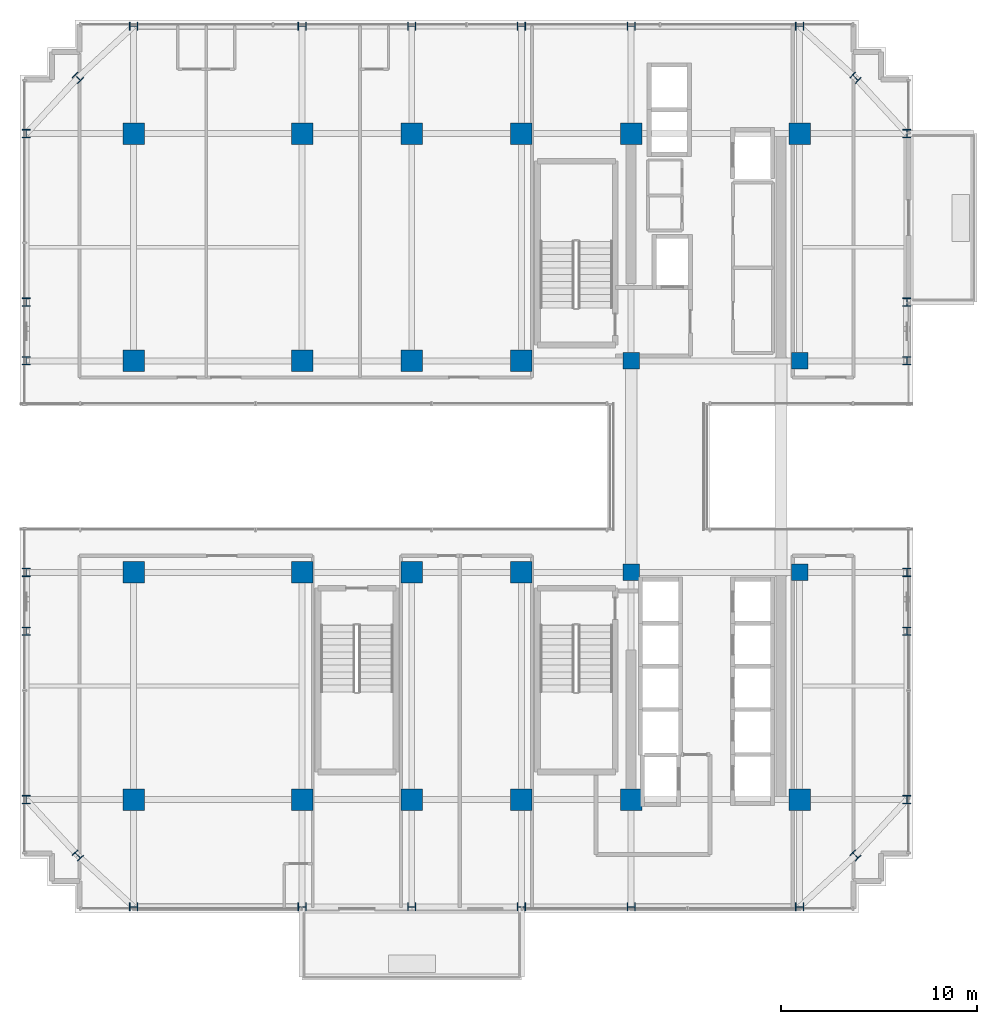
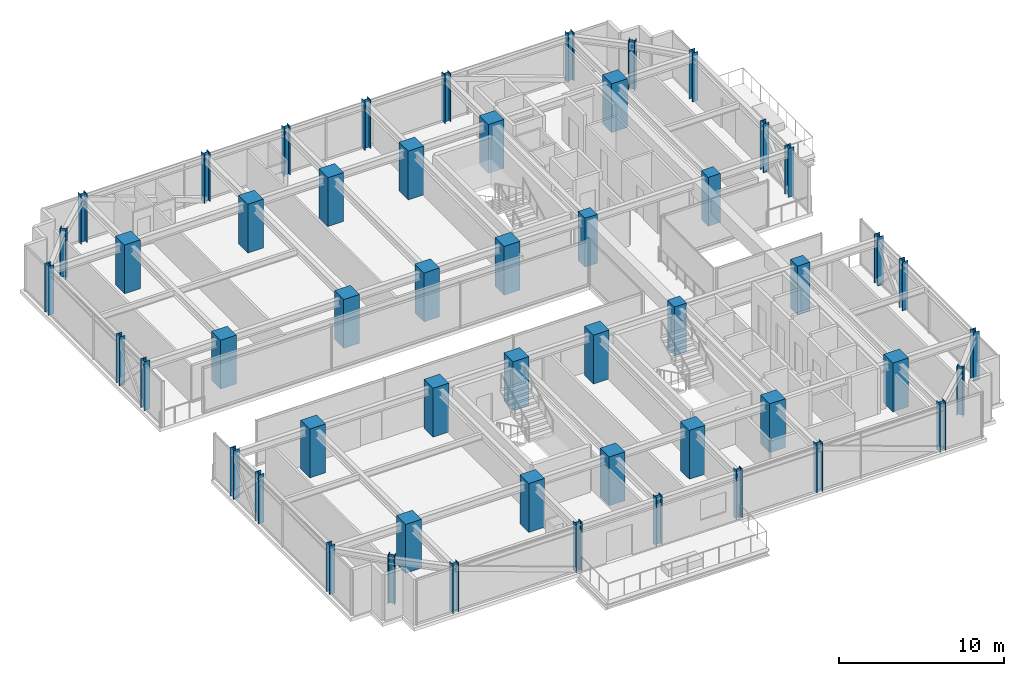
# One storey, part 1 of 38: 52 columns.
"""IFC4 building model written with IfcOpenShell, lengths in metres."""

from ifc_helpers import new_model, si_unit, direction, frame, origin, origin_2d, place, context, subcontext, project, spatial, rectangle, i_section, extrude, source, transform, mapped, material, material_profile, profile_set, type_object, element, save


model = new_model("IFC4")

# Units and contexts
model_context = context("Model", 3, precision=1e-05, world=origin(), true_north=direction((0.0, 1.0)))
body_context = subcontext(model_context, "Body", "Model", "MODEL_VIEW")
ifc_project = project(units=[si_unit("LENGTHUNIT", "METRE"), si_unit("AREAUNIT", "SQUARE_METRE"), si_unit("VOLUMEUNIT", "CUBIC_METRE"), si_unit("PLANEANGLEUNIT", "RADIAN"), si_unit("MASSUNIT", "GRAM", prefix="KILO")], contexts=[model_context])

# Site, building, storey
site_placement = place(None, origin())
site = spatial("IfcSite", under=ifc_project, at=site_placement, CompositionType="ELEMENT")
building_placement = place(site_placement, origin())
building = spatial("IfcBuilding", under=site, at=building_placement, Name="Nahalor Promenade Grand Hotel", CompositionType="ELEMENT")
storey_placement = place(building_placement, frame((0.0, 0.0, 163.60009765625)))
storey = spatial("IfcBuildingStorey", under=building, at=storey_placement, Name="L41", CompositionType="ELEMENT", Elevation=163.60009765625)

# Columns
ifc_material_1 = material(Name="Concrete B-70 (C60/75)", Category="concrete")
ifc_material_profile_1 = material_profile(ifc_material_1, rectangle(XDim=0.85, YDim=0.85, at=origin_2d()), Name="RC 850x850")
ifc_profile_set_1 = profile_set([ifc_material_profile_1], Name="Concrete B-70 (C60/75)")
column_type_1 = type_object("IfcColumnType", Name="Col-Pilaster-850", PredefinedType="PILASTER", material=ifc_profile_set_1)
shared_shape_1 = source(origin(), body_context, "Body", "SweptSolid", [
    extrude(rectangle(XDim=0.85, YDim=0.85, at=origin_2d()), origin(), (0.0, 0.0, 1.0), 3.60498046875),
])
for number, where, z_axis, x_axis, name in (
    (1, (8.39990234375, -5.39990234375, 0.0), (0.0, 0.0, 1.0), (1.0, 0.0, 0.0), "COL-L41-I41"),
    (2, (8.39990234375, 5.39990234375, 0.0), (0.0, 0.0, 1.0), (1.0, 0.0, 0.0), "COL-L41-I42"),
    (3, (17.0, -5.39990234375, 0.0), (0.0, 0.0, 1.0), (1.0, 0.0, 0.0), "COL-L41-I51"),
    (4, (17.0, 5.39990234375, 0.0), (0.0, 0.0, 1.0), (1.0, 0.0, 0.0), "COL-L41-I52"),
):
    element("IfcColumn", number, at=place(storey_placement, frame(where, z_axis=z_axis, x_axis=x_axis)), inside=storey, type_object=column_type_1, Name=name, PredefinedType="PILASTER", context=body_context, shape_type="MappedRepresentation", body=[
        mapped(shared_shape_1, transform((0.0, 0.0, 0.0), scale=1.0)),
    ])
ifc_material_2 = material(Name="Concrete B-60 (C50/60)", Category="concrete")
ifc_material_profile_2 = material_profile(ifc_material_2, rectangle(XDim=1.1, YDim=1.1, at=origin_2d()), Name="RC 1100x1100")
ifc_profile_set_2 = profile_set([ifc_material_profile_2], Name="Concrete B-60 (C50/60)")
column_type_2 = type_object("IfcColumnType", Name="Col-RC-1100", PredefinedType="COLUMN", material=ifc_profile_set_2)
shared_shape_2 = source(origin(), body_context, "Body", "SweptSolid", [
    extrude(rectangle(XDim=1.1, YDim=1.1, at=origin_2d()), origin(), (0.0, 0.0, 1.0), 3.60498046875),
])
for number, where, z_axis, x_axis, name in (
    (5, (-17.0, -17.0, 0.0), (0.0, 0.0, 1.0), (1.0, 0.0, 0.0), "COL-L41-I00"),
    (6, (-17.0, -5.39990234375, 0.0), (0.0, 0.0, 1.0), (1.0, 0.0, 0.0), "COL-L41-I01"),
    (7, (-17.0, 5.39990234375, 0.0), (0.0, 0.0, 1.0), (1.0, 0.0, 0.0), "COL-L41-I02"),
    (8, (-17.0, 17.0, 0.0), (0.0, 0.0, 1.0), (1.0, 0.0, 0.0), "COL-L41-I03"),
    (9, (-8.39990234375, -17.0, 0.0), (0.0, 0.0, 1.0), (1.0, 0.0, 0.0), "COL-L41-I10"),
    (10, (-8.39990234375, -5.39990234375, 0.0), (0.0, 0.0, 1.0), (1.0, 0.0, 0.0), "COL-L41-I11"),
    (11, (-8.39990234375, 5.39990234375, 0.0), (0.0, 0.0, 1.0), (1.0, 0.0, 0.0), "COL-L41-I12"),
    (12, (-8.39990234375, 17.0, 0.0), (0.0, 0.0, 1.0), (1.0, 0.0, 0.0), "COL-L41-I13"),
    (13, (-2.800048828125, -17.0, 0.0), (0.0, 0.0, 1.0), (1.0, 0.0, 0.0), "COL-L41-I20"),
    (14, (-2.800048828125, -5.39990234375, 0.0), (0.0, 0.0, 1.0), (1.0, 0.0, 0.0), "COL-L41-I21"),
    (15, (-2.800048828125, 5.39990234375, 0.0), (0.0, 0.0, 1.0), (1.0, 0.0, 0.0), "COL-L41-I22"),
    (16, (-2.800048828125, 17.0, 0.0), (0.0, 0.0, 1.0), (1.0, 0.0, 0.0), "COL-L41-I23"),
    (17, (2.800048828125, -17.0, 0.0), (0.0, 0.0, 1.0), (1.0, 0.0, 0.0), "COL-L41-I30"),
    (18, (2.800048828125, -5.39990234375, 0.0), (0.0, 0.0, 1.0), (1.0, 0.0, 0.0), "COL-L41-I31"),
    (19, (2.800048828125, 5.39990234375, 0.0), (0.0, 0.0, 1.0), (1.0, 0.0, 0.0), "COL-L41-I32"),
    (20, (2.800048828125, 17.0, 0.0), (0.0, 0.0, 1.0), (1.0, 0.0, 0.0), "COL-L41-I33"),
    (21, (8.39990234375, -17.0, 0.0), (0.0, 0.0, 1.0), (1.0, 0.0, 0.0), "COL-L41-I40"),
    (22, (8.39990234375, 17.0, 0.0), (0.0, 0.0, 1.0), (1.0, 0.0, 0.0), "COL-L41-I43"),
    (23, (17.0, -17.0, 0.0), (0.0, 0.0, 1.0), (1.0, 0.0, 0.0), "COL-L41-I50"),
    (24, (17.0, 17.0, 0.0), (0.0, 0.0, 1.0), (1.0, 0.0, 0.0), "COL-L41-I53"),
):
    element("IfcColumn", number, at=place(storey_placement, frame(where, z_axis=z_axis, x_axis=x_axis)), inside=storey, type_object=column_type_2, Name=name, PredefinedType="COLUMN", context=body_context, shape_type="MappedRepresentation", body=[
        mapped(shared_shape_2, transform((0.0, 0.0, 0.0), scale=1.0)),
    ])
ifc_material_3 = material(Name="Steel S355J2", Category="steel")
ifc_material_profile_3 = material_profile(ifc_material_3, i_section(OverallWidth=0.406, OverallDepth=0.422, WebThickness=0.019, FlangeThickness=0.0305, at=origin_2d()), Name="HD 400x382")
ifc_profile_set_3 = profile_set([ifc_material_profile_3], Name="Steel S355J2")
column_type_3 = type_object("IfcColumnType", Name="Col-Steel-HD382", PredefinedType="COLUMN", material=ifc_profile_set_3)
shared_shape_3 = source(origin(), body_context, "Body", "SweptSolid", [
    extrude(i_section(OverallWidth=0.406, OverallDepth=0.422, WebThickness=0.019, FlangeThickness=0.0305, at=origin_2d()), origin(), (0.0, 0.0, 1.0), 3.60498046875),
])
for number, where, z_axis, x_axis, name in (
    (25, (-22.47998046875, -17.0, 0.0), (0.0, 0.0, 1.0), (1.0, 0.0, 0.0), "COL-L41-PW-W0"),
    (26, (22.47998046875, -17.0, 0.0), (0.0, 0.0, 1.0), (1.0, 0.0, 0.0), "COL-L41-PW-E0"),
    (27, (-22.47998046875, -8.39990234375, 0.0), (0.0, 0.0, 1.0), (1.0, 0.0, 0.0), "COL-L41-PW-W1"),
    (28, (22.47998046875, -8.39990234375, 0.0), (0.0, 0.0, 1.0), (1.0, 0.0, 0.0), "COL-L41-PW-E1"),
    (29, (-22.47998046875, -5.39990234375, 0.0), (0.0, 0.0, 1.0), (1.0, 0.0, 0.0), "COL-L41-PW-W2"),
    (30, (22.47998046875, -5.39990234375, 0.0), (0.0, 0.0, 1.0), (1.0, 0.0, 0.0), "COL-L41-PW-E2"),
    (31, (-22.47998046875, 5.39990234375, 0.0), (0.0, 0.0, 1.0), (1.0, 0.0, 0.0), "COL-L41-PW-W3"),
    (32, (22.47998046875, 5.39990234375, 0.0), (0.0, 0.0, 1.0), (1.0, 0.0, 0.0), "COL-L41-PW-E3"),
    (33, (-22.47998046875, 8.39990234375, 0.0), (0.0, 0.0, 1.0), (1.0, 0.0, 0.0), "COL-L41-PW-W4"),
    (34, (22.47998046875, 8.39990234375, 0.0), (0.0, 0.0, 1.0), (1.0, 0.0, 0.0), "COL-L41-PW-E4"),
    (35, (-22.47998046875, 17.0, 0.0), (0.0, 0.0, 1.0), (1.0, 0.0, 0.0), "COL-L41-PW-W5"),
    (36, (22.47998046875, 17.0, 0.0), (0.0, 0.0, 1.0), (1.0, 0.0, 0.0), "COL-L41-PW-E5"),
    (37, (-17.0, -22.47998046875, 0.0), (0.0, 0.0, 1.0), (0.0, 1.0, 0.0), "COL-L41-PN-S0"),
    (38, (-17.0, 22.47998046875, 0.0), (0.0, 0.0, 1.0), (0.0, 1.0, 0.0), "COL-L41-PN-N0"),
    (39, (-8.39990234375, -22.47998046875, 0.0), (0.0, 0.0, 1.0), (0.0, 1.0, 0.0), "COL-L41-PN-S1"),
    (40, (-8.39990234375, 22.47998046875, 0.0), (0.0, 0.0, 1.0), (0.0, 1.0, 0.0), "COL-L41-PN-N1"),
    (41, (-2.800048828125, -22.47998046875, 0.0), (0.0, 0.0, 1.0), (0.0, 1.0, 0.0), "COL-L41-PN-S2"),
    (42, (-2.800048828125, 22.47998046875, 0.0), (0.0, 0.0, 1.0), (0.0, 1.0, 0.0), "COL-L41-PN-N2"),
    (43, (2.800048828125, -22.47998046875, 0.0), (0.0, 0.0, 1.0), (0.0, 1.0, 0.0), "COL-L41-PN-S3"),
    (44, (2.800048828125, 22.47998046875, 0.0), (0.0, 0.0, 1.0), (0.0, 1.0, 0.0), "COL-L41-PN-N3"),
    (45, (8.39990234375, -22.47998046875, 0.0), (0.0, 0.0, 1.0), (0.0, 1.0, 0.0), "COL-L41-PN-S4"),
    (46, (8.39990234375, 22.47998046875, 0.0), (0.0, 0.0, 1.0), (0.0, 1.0, 0.0), "COL-L41-PN-N4"),
    (47, (17.0, -22.47998046875, 0.0), (0.0, 0.0, 1.0), (0.0, 1.0, 0.0), "COL-L41-PN-S5"),
    (48, (17.0, 22.47998046875, 0.0), (0.0, 0.0, 1.0), (0.0, 1.0, 0.0), "COL-L41-PN-N5"),
    (49, (-19.85009765625, -19.85009765625, 0.0), (0.0, 0.0, 1.0), (0.707106781187, 0.707106781187, 0.0), "COL-L41-CRN-SW"),
    (50, (-19.85009765625, 19.85009765625, 0.0), (0.0, 0.0, 1.0), (0.707106781187, 0.707106781187, 0.0), "COL-L41-CRN-NW"),
    (51, (19.85009765625, -19.85009765625, 0.0), (0.0, 0.0, 1.0), (0.707106781187, 0.707106781187, 0.0), "COL-L41-CRN-SE"),
    (52, (19.85009765625, 19.85009765625, 0.0), (0.0, 0.0, 1.0), (0.707106781187, 0.707106781187, 0.0), "COL-L41-CRN-NE"),
):
    element("IfcColumn", number, at=place(storey_placement, frame(where, z_axis=z_axis, x_axis=x_axis)), inside=storey, type_object=column_type_3, Name=name, PredefinedType="COLUMN", context=body_context, shape_type="MappedRepresentation", body=[
        mapped(shared_shape_3, transform((0.0, 0.0, 0.0), scale=1.0)),
    ])

save(model, "model.ifc")
